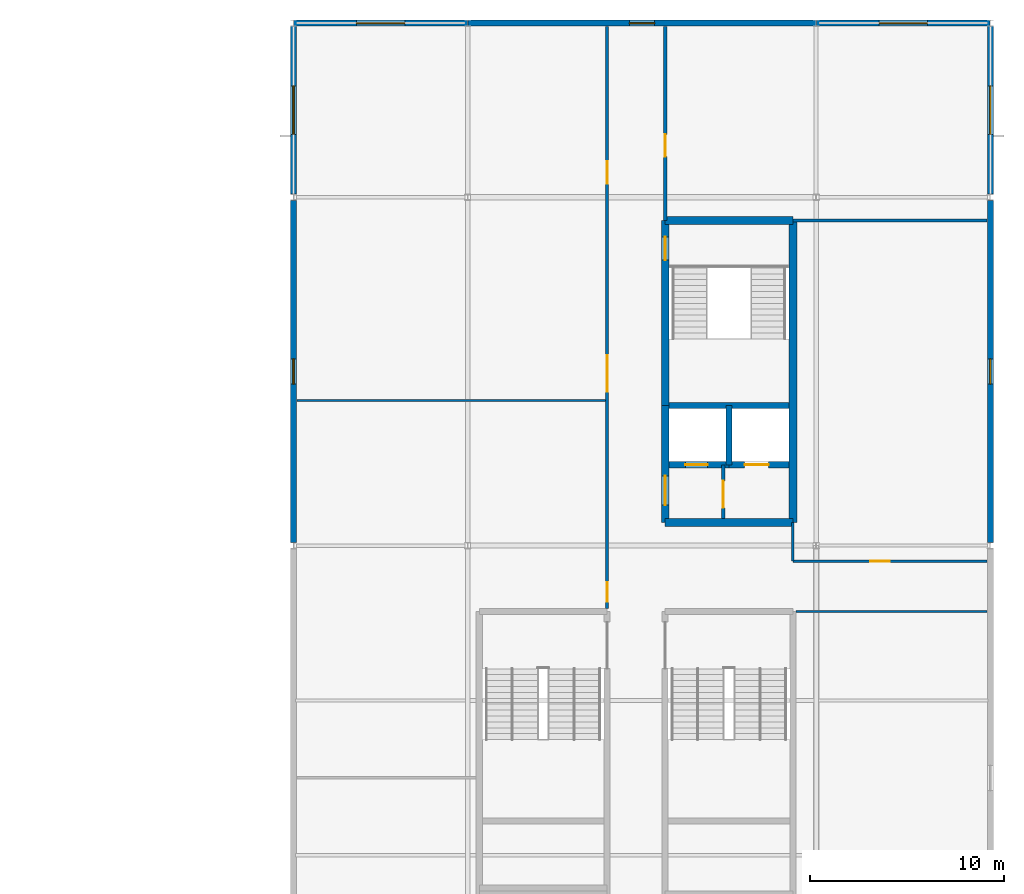
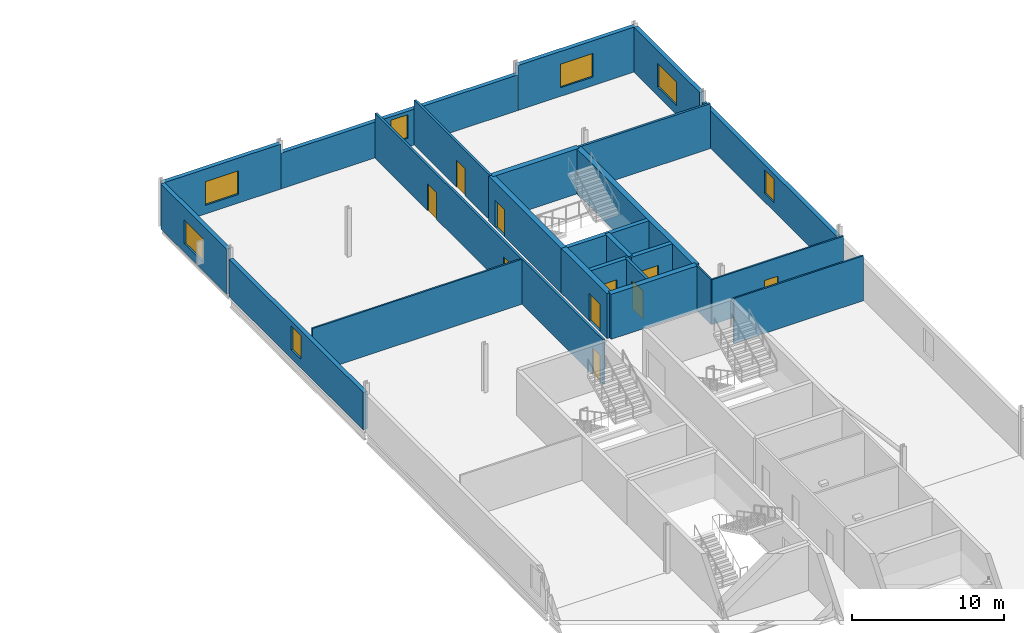
# One storey, part 20 of 31: 24 walls, 10 doors, 7 windows, 17 openings.
"""IFC4 building model written with IfcOpenShell, lengths in metres."""

from ifc_helpers import new_model, si_unit, direction, frame, frame_2d, origin, place, context, subcontext, project, spatial, rectangle, extrude, material, layer, layer_set, type_object, element, fill, save


model = new_model("IFC4")

# Units and contexts
model_context = context("Model", 3, precision=1e-05, world=origin(), true_north=direction((0.0, 1.0)))
body_context = subcontext(model_context, "Body", "Model", "MODEL_VIEW")
ifc_project = project(units=[si_unit("LENGTHUNIT", "METRE"), si_unit("AREAUNIT", "SQUARE_METRE"), si_unit("VOLUMEUNIT", "CUBIC_METRE"), si_unit("PLANEANGLEUNIT", "RADIAN"), si_unit("MASSUNIT", "GRAM", prefix="KILO")], contexts=[model_context])

# Site, building, storey
site_placement = place(None, origin())
site = spatial("IfcSite", under=ifc_project, at=site_placement, CompositionType="ELEMENT")
building_placement = place(site_placement, origin())
building = spatial("IfcBuilding", under=site, at=building_placement, Name="Kisiwana Market Hall", CompositionType="ELEMENT")
storey_placement = place(building_placement, frame((0.0, 0.0, 45.60009765625)))
storey = spatial("IfcBuildingStorey", under=building, at=storey_placement, Name="L10", CompositionType="ELEMENT", Elevation=45.60009765625)

# Wall, opening, door
ifc_material_1 = material(Name="Masonry blockwork", Category="masonry")
ifc_layer_1 = layer(ifc_material_1, 0.199951171875, Name="Plastered fire compartment block wall")
ifc_layer_set_1 = layer_set([ifc_layer_1], Name="WL-COMP-200")
wall_type_1 = type_object("IfcWallType", Name="WL-COMP-200", PredefinedType="PARTITIONING", material=ifc_layer_set_1)
wall_1_placement = place(storey_placement, frame((184.199951171875, 85.39990234375, 0.0), z_axis=(0.0, 0.0, 1.0), x_axis=(0.0, 1.0, 0.0)))
wall_1 = element("IfcWall", 1, at=wall_1_placement, inside=storey, type_object=wall_type_1, Name="Core E1 firefighting lobby wall W-2710", PredefinedType="PARTITIONING", context=body_context, shape_type="SweptSolid", body=[
    extrude(rectangle(XDim=2.780029296875, YDim=0.199951171875, at=frame_2d((1.39013671875, 0.0))), origin(), (0.0, 0.0, 1.0), 3.619873046875),
])
opening_1_placement = place(wall_1_placement, frame((0.550048828125, 0.0, 0.0)))
opening_1 = element("IfcOpeningElement", 2, at=opening_1_placement, cuts=wall_1, Name="Opening DR-L10-012", PredefinedType="OPENING", context=body_context, shape_type="SweptSolid", body=[
    extrude(rectangle(XDim=1.39990234375, YDim=2.25, at=frame_2d((0.699951171875, 1.125))), frame((0.0, 0.11181640625, 0.0), z_axis=(0.0, -1.0, 0.0), x_axis=(1.0, 0.0, 0.0)), (0.0, 0.0, 1.0), 0.223876953125),
])
ifc_material_2 = material(Name="Steel S275", Category="steel")
door_type_1 = type_object("IfcDoorType", Name="DR-FFLOB-FD120-1400", OperationType="DOUBLE_DOOR_SINGLE_SWING", PredefinedType="DOOR", material=ifc_material_2)
door_1_placement = place(opening_1_placement, origin())
door_1 = element("IfcDoor", 3, at=door_1_placement, inside=storey, type_object=door_type_1, Name="Firefighting Lift Lobby E1 Door (L10)", OperationType="DOUBLE_DOOR_SINGLE_SWING", OverallHeight=2.25, OverallWidth=1.39990234375, PredefinedType="DOOR", context=body_context, shape_type="SweptSolid", body=[
    extrude(rectangle(XDim=1.39990234375, YDim=2.25, at=frame_2d((0.699951171875, 1.125))), frame((0.0, 0.02490234375, 0.0), z_axis=(0.0, -1.0, 0.0), x_axis=(1.0, 0.0, 0.0)), (0.0, 0.0, 1.0), 0.050048828125),
])
fill(opening_1, door_1)

# Walls
ifc_material_3 = material(Name="Concrete C40/50", Category="concrete")
ifc_layer_2 = layer(ifc_material_3, 0.320068359375, Name="Reinforced concrete shaft wall")
ifc_layer_set_2 = layer_set([ifc_layer_2], Name="WL-CORE-320")
wall_type_2 = type_object("IfcWallType", Name="WL-CORE-320", PredefinedType="SHEAR", material=ifc_layer_set_2)
wall_2_placement = place(storey_placement, frame((181.39990234375, 91.239990234375, 0.0), z_axis=(0.0, 0.0, 1.0), x_axis=(1.0, 0.0, 0.0)))
element("IfcWall", 4, at=wall_2_placement, inside=storey, type_object=wall_type_2, Name="Core E1 shaft back shear wall W-2619", PredefinedType="SHEAR", context=body_context, shape_type="SweptSolid", body=[
    extrude(rectangle(XDim=6.2001953125, YDim=0.320068359375, at=frame_2d((3.10009765625, 0.0))), origin(), (0.0, 0.0, 1.0), 3.619873046875),
])
wall_3_placement = place(storey_placement, frame((184.5, 88.179931640625, 0.0), z_axis=(0.0, 0.0, 1.0), x_axis=(0.0, 1.0, 0.0)))
element("IfcWall", 5, at=wall_3_placement, inside=storey, type_object=wall_type_2, Name="Core E1 inter-shaft shear wall W-2620", PredefinedType="SHEAR", context=body_context, shape_type="SweptSolid", body=[
    extrude(rectangle(XDim=3.06005859375, YDim=0.320068359375, at=frame_2d((1.530029296875, 0.0))), origin(), (0.0, 0.0, 1.0), 3.619873046875),
])

# Wall, opening, door
wall_4_placement = place(storey_placement, frame((181.39990234375, 88.179931640625, 0.0), z_axis=(0.0, 0.0, 1.0), x_axis=(1.0, 0.0, 0.0)))
wall_4 = element("IfcWall", 6, at=wall_4_placement, inside=storey, type_object=wall_type_2, Name="Core E1 west lift front wall W-2621", PredefinedType="SHEAR", context=body_context, shape_type="SweptSolid", body=[
    extrude(rectangle(XDim=3.10009765625, YDim=0.320068359375, at=frame_2d((1.550048828125, 0.0))), origin(), (0.0, 0.0, 1.0), 3.619873046875),
])
opening_2_placement = place(wall_4_placement, frame((0.85009765625, 0.0, 0.0)))
opening_2 = element("IfcOpeningElement", 7, at=opening_2_placement, cuts=wall_4, Name="Opening LD-L10-007", PredefinedType="OPENING", context=body_context, shape_type="SweptSolid", body=[
    extrude(rectangle(XDim=1.14990234375, YDim=2.199951171875, at=frame_2d((0.574951171875, 1.10009765625))), frame((0.0, 0.171875, 0.0), z_axis=(0.0, -1.0, 0.0), x_axis=(1.0, 0.0, 0.0)), (0.0, 0.0, 1.0), 0.343994140625),
])
ifc_material_4 = material(Name="Steel S275", Category="steel")
door_type_2 = type_object("IfcDoorType", Name="DR-LIFT-PAX-1150", OperationType="DOUBLE_DOOR_SLIDING", PredefinedType="DOOR", material=ifc_material_4)
door_2_placement = place(opening_2_placement, origin())
door_2 = element("IfcDoor", 8, at=door_2_placement, inside=storey, type_object=door_type_2, Name="Lift Landing Door LP-04 (L10)", OperationType="DOUBLE_DOOR_SLIDING", OverallHeight=2.199951171875, OverallWidth=1.14990234375, PredefinedType="DOOR", context=body_context, shape_type="SweptSolid", body=[
    extrude(rectangle(XDim=1.14990234375, YDim=2.199951171875, at=frame_2d((0.574951171875, 1.10009765625))), frame((0.0, 0.02490234375, 0.0), z_axis=(0.0, -1.0, 0.0), x_axis=(1.0, 0.0, 0.0)), (0.0, 0.0, 1.0), 0.050048828125),
])
fill(opening_2, door_2)

wall_5_placement = place(storey_placement, frame((184.5, 88.179931640625, 0.0), z_axis=(0.0, 0.0, 1.0), x_axis=(1.0, 0.0, 0.0)))
wall_5 = element("IfcWall", 9, at=wall_5_placement, inside=storey, type_object=wall_type_2, Name="Core E1 east lift front wall W-2622", PredefinedType="SHEAR", context=body_context, shape_type="SweptSolid", body=[
    extrude(rectangle(XDim=3.10009765625, YDim=0.320068359375, at=frame_2d((1.550048828125, 0.0))), origin(), (0.0, 0.0, 1.0), 3.619873046875),
])
opening_3_placement = place(wall_5_placement, frame((0.800048828125, 0.0, 0.0)))
opening_3 = element("IfcOpeningElement", 10, at=opening_3_placement, cuts=wall_5, Name="Opening LD-L10-008", PredefinedType="OPENING", context=body_context, shape_type="SweptSolid", body=[
    extrude(rectangle(XDim=1.25, YDim=2.25, at=frame_2d((0.625, 1.125))), frame((0.0, 0.171875, 0.0), z_axis=(0.0, -1.0, 0.0), x_axis=(1.0, 0.0, 0.0)), (0.0, 0.0, 1.0), 0.343994140625),
])
ifc_material_5 = material(Name="Steel S275", Category="steel")
door_type_3 = type_object("IfcDoorType", Name="DR-LIFT-FFL-1250", OperationType="DOUBLE_DOOR_SLIDING", PredefinedType="DOOR", material=ifc_material_5)
door_3_placement = place(opening_3_placement, origin())
door_3 = element("IfcDoor", 11, at=door_3_placement, inside=storey, type_object=door_type_3, Name="Lift Landing Door FFL-04 (L10)", OperationType="DOUBLE_DOOR_SLIDING", OverallHeight=2.25, OverallWidth=1.25, PredefinedType="DOOR", context=body_context, shape_type="SweptSolid", body=[
    extrude(rectangle(XDim=1.25, YDim=2.25, at=frame_2d((0.625, 1.125))), frame((0.0, 0.02490234375, 0.0), z_axis=(0.0, -1.0, 0.0), x_axis=(1.0, 0.0, 0.0)), (0.0, 0.0, 1.0), 0.050048828125),
])
fill(opening_3, door_3)

# Walls
ifc_material_6 = material(Name="Concrete C40/50", Category="concrete")
ifc_layer_3 = layer(ifc_material_6, 0.39990234375, Name="Reinforced concrete core wall")
ifc_layer_set_3 = layer_set([ifc_layer_3], Name="WL-CORE-400")
wall_type_3 = type_object("IfcWallType", Name="WL-CORE-400", PredefinedType="SHEAR", material=ifc_layer_set_3)
for number, where, z_axis, x_axis, name in (
    (12, (181.199951171875, 85.199951171875, 0.0), (0.0, 0.0, 1.0), (1.0, 0.0, 0.0), "Core E1 south shear wall W-2614"),
    (13, (181.199951171875, 100.800048828125, 0.0), (0.0, 0.0, 1.0), (1.0, 0.0, 0.0), "Core E1 north shear wall W-2615"),
):
    element("IfcWall", number, at=place(storey_placement, frame(where, z_axis=z_axis, x_axis=x_axis)), inside=storey, type_object=wall_type_3, Name=name, PredefinedType="SHEAR", context=body_context, shape_type="SweptSolid", body=[
        extrude(rectangle(XDim=6.60009765625, YDim=0.39990234375, at=frame_2d((3.300048828125, 0.0))), origin(), (0.0, 0.0, 1.0), 3.619873046875),
    ])
wall_6_placement = place(storey_placement, frame((187.800048828125, 85.199951171875, 0.0), z_axis=(0.0, 0.0, 1.0), x_axis=(0.0, 1.0, 0.0)))
element("IfcWall", 14, at=wall_6_placement, inside=storey, type_object=wall_type_3, Name="Core E1 outer shear wall W-2616", PredefinedType="SHEAR", context=body_context, shape_type="SweptSolid", body=[
    extrude(rectangle(XDim=15.60009765625, YDim=0.39990234375, at=frame_2d((7.800048828125, 0.0))), origin(), (0.0, 0.0, 1.0), 3.619873046875),
])

# Wall, opening, door
wall_7_placement = place(storey_placement, frame((181.199951171875, 85.199951171875, 0.0), z_axis=(0.0, 0.0, 1.0), x_axis=(0.0, 1.0, 0.0)))
wall_7 = element("IfcWall", 15, at=wall_7_placement, inside=storey, type_object=wall_type_3, Name="Core E1 lobby corridor shear wall W-2617", PredefinedType="SHEAR", context=body_context, shape_type="SweptSolid", body=[
    extrude(rectangle(XDim=6.0400390625, YDim=0.39990234375, at=frame_2d((3.02001953125, 0.0))), origin(), (0.0, 0.0, 1.0), 3.619873046875),
])
opening_4_placement = place(wall_7_placement, frame((0.89990234375, 0.0, 0.0)))
opening_4 = element("IfcOpeningElement", 16, at=opening_4_placement, cuts=wall_7, Name="Opening DR-L10-010", PredefinedType="OPENING", context=body_context, shape_type="SweptSolid", body=[
    extrude(rectangle(XDim=1.5, YDim=2.199951171875, at=frame_2d((0.75, 1.10009765625))), frame((0.0, 0.2119140625, 0.0), z_axis=(0.0, -1.0, 0.0), x_axis=(1.0, 0.0, 0.0)), (0.0, 0.0, 1.0), 0.423828125),
])
ifc_material_7 = material(Name="Steel S275", Category="steel")
door_type_4 = type_object("IfcDoorType", Name="DR-CORR-FD60-1500", OperationType="DOUBLE_DOOR_SINGLE_SWING", PredefinedType="DOOR", material=ifc_material_7)
door_4_placement = place(opening_4_placement, origin())
door_4 = element("IfcDoor", 17, at=door_4_placement, inside=storey, type_object=door_type_4, Name="Passenger Lift Lobby E1 Smoke Door (L10)", OperationType="DOUBLE_DOOR_SINGLE_SWING", OverallHeight=2.199951171875, OverallWidth=1.5, PredefinedType="DOOR", context=body_context, shape_type="SweptSolid", body=[
    extrude(rectangle(XDim=1.5, YDim=2.199951171875, at=frame_2d((0.75, 1.10009765625))), frame((0.0, 0.02490234375, 0.0), z_axis=(0.0, -1.0, 0.0), x_axis=(1.0, 0.0, 0.0)), (0.0, 0.0, 1.0), 0.050048828125),
])
fill(opening_4, door_4)

wall_8_placement = place(storey_placement, frame((181.199951171875, 91.239990234375, 0.0), z_axis=(0.0, 0.0, 1.0), x_axis=(0.0, 1.0, 0.0)))
wall_8 = element("IfcWall", 18, at=wall_8_placement, inside=storey, type_object=wall_type_3, Name="Core E1 stair corridor shear wall W-2618", PredefinedType="SHEAR", context=body_context, shape_type="SweptSolid", body=[
    extrude(rectangle(XDim=9.56005859375, YDim=0.39990234375, at=frame_2d((4.780029296875, 0.0))), origin(), (0.0, 0.0, 1.0), 3.619873046875),
])
opening_5_placement = place(wall_8_placement, frame((7.510009765625, 0.0, 0.0)))
opening_5 = element("IfcOpeningElement", 19, at=opening_5_placement, cuts=wall_8, Name="Opening DR-L10-011", PredefinedType="OPENING", context=body_context, shape_type="SweptSolid", body=[
    extrude(rectangle(XDim=1.199951171875, YDim=2.199951171875, at=frame_2d((0.60009765625, 1.10009765625))), frame((0.0, 0.2119140625, 0.0), z_axis=(0.0, -1.0, 0.0), x_axis=(1.0, 0.0, 0.0)), (0.0, 0.0, 1.0), 0.423828125),
])
ifc_material_8 = material(Name="Steel S275", Category="steel")
door_type_5 = type_object("IfcDoorType", Name="DR-STAIR-FD120-1200", OperationType="NOTDEFINED", PredefinedType="DOOR", material=ifc_material_8)
door_5_placement = place(opening_5_placement, frame((1.199951171875, 0.0, 0.0), z_axis=(0.0, 0.0, 1.0), x_axis=(-1.0, 0.0, 0.0)))
door_5 = element("IfcDoor", 20, at=door_5_placement, inside=storey, type_object=door_type_5, Name="Escape Stair E1 Fire Door (L10)", OperationType="SINGLE_SWING_LEFT", OverallHeight=2.199951171875, OverallWidth=1.199951171875, PredefinedType="DOOR", context=body_context, shape_type="SweptSolid", body=[
    extrude(rectangle(XDim=1.199951171875, YDim=2.199951171875, at=frame_2d((0.60009765625, 1.10009765625))), frame((0.0, 0.02490234375, 0.0), z_axis=(0.0, -1.0, 0.0), x_axis=(1.0, 0.0, 0.0)), (0.0, 0.0, 1.0), 0.050048828125),
])
fill(opening_5, door_5)

# Wall
ifc_material_9 = material(Name="Masonry blockwork", Category="masonry")
ifc_layer_4 = layer(ifc_material_9, 0.169921875, Name="Protected corridor partition")
ifc_layer_set_4 = layer_set([ifc_layer_4], Name="WL-CORR-170")
wall_type_4 = type_object("IfcWallType", Name="WL-CORR-170", PredefinedType="PARTITIONING", material=ifc_layer_set_4)
wall_9_placement = place(storey_placement, frame((187.800048828125, 100.800048828125, 0.0), z_axis=(0.0, 0.0, 1.0), x_axis=(1.0, 0.0, 0.0)))
element("IfcWall", 21, at=wall_9_placement, inside=storey, type_object=wall_type_4, Name="Interior partition W-2738", PredefinedType="PARTITIONING", context=body_context, shape_type="SweptSolid", body=[
    extrude(rectangle(XDim=10.017333984375, YDim=0.169921875, at=frame_2d((5.0087890625, 0.0))), origin(), (0.0, 0.0, 1.0), 3.619873046875),
])

# Wall, opening, door
wall_10_placement = place(storey_placement, frame((181.199951171875, 100.800048828125, 0.0), z_axis=(0.0, 0.0, 1.0), x_axis=(0.0, 1.0, 0.0)))
wall_10 = element("IfcWall", 22, at=wall_10_placement, inside=storey, type_object=wall_type_4, Name="Interior partition W-2744", PredefinedType="PARTITIONING", context=body_context, shape_type="SweptSolid", body=[
    extrude(rectangle(XDim=10.017333984375, YDim=0.169921875, at=frame_2d((5.0087890625, 0.0))), origin(), (0.0, 0.0, 1.0), 3.619873046875),
])
opening_6_placement = place(wall_10_placement, frame((3.300048828125, 0.0, 0.0)))
opening_6 = element("IfcOpeningElement", 23, at=opening_6_placement, cuts=wall_10, Name="Opening DR-L10-046", PredefinedType="OPENING", context=body_context, shape_type="SweptSolid", body=[
    extrude(rectangle(XDim=1.14990234375, YDim=2.14990234375, at=frame_2d((0.574951171875, 1.074951171875))), frame((0.0, 0.096923828125, 0.0), z_axis=(0.0, -1.0, 0.0), x_axis=(1.0, 0.0, 0.0)), (0.0, 0.0, 1.0), 0.19384765625),
])
ifc_material_10 = material(Name="Aluminium alloy 6063-T6", Category="aluminium")
door_type_6 = type_object("IfcDoorType", Name="DR-MEET-1150", OperationType="NOTDEFINED", PredefinedType="DOOR", material=ifc_material_10)
door_6_placement = place(opening_6_placement, frame((1.14990234375, 0.0, 0.0), z_axis=(0.0, 0.0, 1.0), x_axis=(-1.0, 0.0, 0.0)))
door_6 = element("IfcDoor", 24, at=door_6_placement, inside=storey, type_object=door_type_6, Name="L10 E Corner Office Suite North Door", OperationType="SINGLE_SWING_RIGHT", OverallHeight=2.14990234375, OverallWidth=1.14990234375, PredefinedType="DOOR", context=body_context, shape_type="SweptSolid", body=[
    extrude(rectangle(XDim=1.14990234375, YDim=2.14990234375, at=frame_2d((0.574951171875, 1.074951171875))), frame((0.0, 0.02490234375, 0.0), z_axis=(0.0, -1.0, 0.0), x_axis=(1.0, 0.0, 0.0)), (0.0, 0.0, 1.0), 0.050048828125),
])
fill(opening_6, door_6)

# Wall, openings, doors
wall_11_placement = place(storey_placement, frame((178.199951171875, 80.760009765625, 0.0), z_axis=(0.0, 0.0, 1.0), x_axis=(0.0, 1.0, 0.0)))
wall_11 = element("IfcWall", 25, at=wall_11_placement, inside=storey, type_object=wall_type_4, Name="Interior partition W-2750", PredefinedType="PARTITIONING", context=body_context, shape_type="SweptSolid", body=[
    extrude(rectangle(XDim=30.057373046875, YDim=0.169921875, at=frame_2d((15.02880859375, 0.0))), origin(), (0.0, 0.0, 1.0), 3.619873046875),
])
opening_7_placement = place(wall_11_placement, frame((0.35009765625, 0.0, 0.0)))
opening_7 = element("IfcOpeningElement", 26, at=opening_7_placement, cuts=wall_11, Name="Opening DR-L10-052", PredefinedType="OPENING", context=body_context, shape_type="SweptSolid", body=[
    extrude(rectangle(XDim=1.0, YDim=2.14990234375, at=frame_2d((0.5, 1.074951171875))), frame((0.0, 0.096923828125, 0.0), z_axis=(0.0, -1.0, 0.0), x_axis=(1.0, 0.0, 0.0)), (0.0, 0.0, 1.0), 0.19384765625),
])
opening_8_placement = place(wall_11_placement, frame((21.949951171875, 0.0, 0.0)))
opening_8 = element("IfcOpeningElement", 27, at=opening_8_placement, cuts=wall_11, Name="Opening DR-L10-053", PredefinedType="OPENING", context=body_context, shape_type="SweptSolid", body=[
    extrude(rectangle(XDim=1.14990234375, YDim=2.14990234375, at=frame_2d((0.574951171875, 1.074951171875))), frame((0.0, 0.096923828125, 0.0), z_axis=(0.0, -1.0, 0.0), x_axis=(1.0, 0.0, 0.0)), (0.0, 0.0, 1.0), 0.19384765625),
])
opening_9_placement = place(wall_11_placement, frame((11.18994140625, 0.0, 0.0)))
opening_9 = element("IfcOpeningElement", 28, at=opening_9_placement, cuts=wall_11, Name="Opening DR-L10-054", PredefinedType="OPENING", context=body_context, shape_type="SweptSolid", body=[
    extrude(rectangle(XDim=1.89990234375, YDim=2.35009765625, at=frame_2d((0.949951171875, 1.175048828125))), frame((0.0, 0.096923828125, 0.0), z_axis=(0.0, -1.0, 0.0), x_axis=(1.0, 0.0, 0.0)), (0.0, 0.0, 1.0), 0.19384765625),
])
ifc_material_11 = material(Name="Steel S275", Category="steel")
door_type_7 = type_object("IfcDoorType", Name="DR-HALL-1900", OperationType="DOUBLE_DOOR_SINGLE_SWING", PredefinedType="DOOR", material=ifc_material_11)
door_7_placement = place(opening_9_placement, origin())
door_7 = element("IfcDoor", 29, at=door_7_placement, inside=storey, type_object=door_type_7, Name="L10 E Client Briefing Room M5 Exit Door", OperationType="DOUBLE_DOOR_SINGLE_SWING", OverallHeight=2.35009765625, OverallWidth=1.89990234375, PredefinedType="DOOR", context=body_context, shape_type="SweptSolid", body=[
    extrude(rectangle(XDim=1.89990234375, YDim=2.35009765625, at=frame_2d((0.949951171875, 1.175048828125))), frame((0.0, 0.02490234375, 0.0), z_axis=(0.0, -1.0, 0.0), x_axis=(1.0, 0.0, 0.0)), (0.0, 0.0, 1.0), 0.050048828125),
])
fill(opening_9, door_7)
door_8_placement = place(opening_8_placement, origin())
door_8 = element("IfcDoor", 30, at=door_8_placement, inside=storey, type_object=door_type_6, Name="L10 E Client Briefing Room M5 Door", OperationType="SINGLE_SWING_RIGHT", OverallHeight=2.14990234375, OverallWidth=1.14990234375, PredefinedType="DOOR", context=body_context, shape_type="SweptSolid", body=[
    extrude(rectangle(XDim=1.14990234375, YDim=2.14990234375, at=frame_2d((0.574951171875, 1.074951171875))), frame((0.0, 0.02490234375, 0.0), z_axis=(0.0, -1.0, 0.0), x_axis=(1.0, 0.0, 0.0)), (0.0, 0.0, 1.0), 0.050048828125),
])
fill(opening_8, door_8)
ifc_material_12 = material(Name="Aluminium alloy 6063-T6", Category="aluminium")
door_type_8 = type_object("IfcDoorType", Name="DR-OFF-1000", OperationType="NOTDEFINED", PredefinedType="DOOR", material=ifc_material_12)
door_9_placement = place(opening_7_placement, origin())
door_9 = element("IfcDoor", 31, at=door_9_placement, inside=storey, type_object=door_type_8, Name="L10 E Mid-Rise Office Suite M4 Door", OperationType="SINGLE_SWING_LEFT", OverallHeight=2.14990234375, OverallWidth=1.0, PredefinedType="DOOR", context=body_context, shape_type="SweptSolid", body=[
    extrude(rectangle(XDim=1.0, YDim=2.14990234375, at=frame_2d((0.5, 1.074951171875))), frame((0.0, 0.02490234375, 0.0), z_axis=(0.0, -1.0, 0.0), x_axis=(1.0, 0.0, 0.0)), (0.0, 0.0, 1.0), 0.050048828125),
])
fill(opening_7, door_9)

# Wall, opening, window
ifc_material_13 = material(Name="Concrete C40/50 precast", Category="concrete")
ifc_layer_5 = layer(ifc_material_13, 0.31494140625)
ifc_layer_set_5 = layer_set([ifc_layer_5], Name="WL-EXT-315")
wall_type_5 = type_object("IfcWallType", Name="WL-EXT-315", PredefinedType="STANDARD", material=ifc_layer_set_5)
wall_12_placement = place(storey_placement, frame((162.010009765625, 111.0, 0.0), z_axis=(0.0, 0.0, 1.0), x_axis=(1.0, 0.0, 0.0)))
wall_12 = element("IfcWall", 32, at=wall_12_placement, inside=storey, type_object=wall_type_5, Name="Exterior wall W-2680", PredefinedType="STANDARD", context=body_context, shape_type="SweptSolid", body=[
    extrude(rectangle(XDim=8.97998046875, YDim=0.31494140625, at=frame_2d((4.489990234375, 0.0))), origin(), (0.0, 0.0, 1.0), 3.619873046875),
])
opening_10_placement = place(wall_12_placement, frame((3.239990234375, 0.0, 0.699951171875)))
opening_10 = element("IfcOpeningElement", 33, at=opening_10_placement, cuts=wall_12, Name="Opening WN-17", PredefinedType="OPENING", context=body_context, shape_type="SweptSolid", body=[
    extrude(rectangle(XDim=2.5, YDim=1.89990234375, at=frame_2d((1.25, 0.949951171875))), frame((0.0, 0.16943359375, 0.0), z_axis=(0.0, -1.0, 0.0), x_axis=(1.0, 0.0, 0.0)), (0.0, 0.0, 1.0), 0.3388671875),
])
ifc_material_14 = material(Name="Double-glazed solar-control low-E IGU", Category="glass")
window_type_1 = type_object("IfcWindowType", Name="WN-OFFB-2500x1900", PartitioningType="SINGLE_PANEL", PredefinedType="WINDOW", material=ifc_material_14)
window_1_placement = place(opening_10_placement, origin())
window_1 = element("IfcWindow", 34, at=window_1_placement, inside=storey, type_object=window_type_1, Name="Exterior window WN-320", OverallHeight=1.89990234375, OverallWidth=2.5, PartitioningType="SINGLE_PANEL", PredefinedType="WINDOW", context=body_context, shape_type="SweptSolid", body=[
    extrude(rectangle(XDim=2.5, YDim=1.89990234375, at=frame_2d((1.25, 0.949951171875))), frame((0.0, 0.030029296875, 0.0), z_axis=(0.0, -1.0, 0.0), x_axis=(1.0, 0.0, 0.0)), (0.0, 0.0, 1.0), 0.06005859375),
])
fill(opening_10, window_1)

wall_13_placement = place(storey_placement, frame((171.010009765625, 111.0, 0.0), z_axis=(0.0, 0.0, 1.0), x_axis=(1.0, 0.0, 0.0)))
wall_13 = element("IfcWall", 35, at=wall_13_placement, inside=storey, type_object=wall_type_5, Name="Exterior wall W-2681", PredefinedType="STANDARD", context=body_context, shape_type="SweptSolid", body=[
    extrude(rectangle(XDim=17.97998046875, YDim=0.31494140625, at=frame_2d((8.989990234375, 0.0))), origin(), (0.0, 0.0, 1.0), 2.879638671875),
])
opening_11_placement = place(wall_13_placement, frame((8.340087890625, 0.0, 0.699951171875)))
opening_11 = element("IfcOpeningElement", 36, at=opening_11_placement, cuts=wall_13, Name="Opening WN-08", PredefinedType="OPENING", context=body_context, shape_type="SweptSolid", body=[
    extrude(rectangle(XDim=1.300048828125, YDim=1.89990234375, at=frame_2d((0.64990234375, 0.949951171875))), frame((0.0, 0.16943359375, 0.0), z_axis=(0.0, -1.0, 0.0), x_axis=(1.0, 0.0, 0.0)), (0.0, 0.0, 1.0), 0.3388671875),
])
ifc_material_15 = material(Name="Double-glazed solar-control low-E IGU", Category="glass")
window_type_2 = type_object("IfcWindowType", Name="WN-OFFB-1300x1900", PartitioningType="SINGLE_PANEL", PredefinedType="WINDOW", material=ifc_material_15)
window_2_placement = place(opening_11_placement, origin())
window_2 = element("IfcWindow", 37, at=window_2_placement, inside=storey, type_object=window_type_2, Name="Exterior window WN-297", OverallHeight=1.89990234375, OverallWidth=1.300048828125, PartitioningType="SINGLE_PANEL", PredefinedType="WINDOW", context=body_context, shape_type="SweptSolid", body=[
    extrude(rectangle(XDim=1.300048828125, YDim=1.89990234375, at=frame_2d((0.64990234375, 0.949951171875))), frame((0.0, 0.030029296875, 0.0), z_axis=(0.0, -1.0, 0.0), x_axis=(1.0, 0.0, 0.0)), (0.0, 0.0, 1.0), 0.06005859375),
])
fill(opening_11, window_2)

wall_14_placement = place(storey_placement, frame((189.010009765625, 111.0, 0.0), z_axis=(0.0, 0.0, 1.0), x_axis=(1.0, 0.0, 0.0)))
wall_14 = element("IfcWall", 38, at=wall_14_placement, inside=storey, type_object=wall_type_5, Name="Exterior wall W-2682", PredefinedType="STANDARD", context=body_context, shape_type="SweptSolid", body=[
    extrude(rectangle(XDim=8.97998046875, YDim=0.31494140625, at=frame_2d((4.489990234375, 0.0))), origin(), (0.0, 0.0, 1.0), 3.619873046875),
])
opening_12_placement = place(wall_14_placement, frame((3.239990234375, 0.0, 0.699951171875)))
opening_12 = element("IfcOpeningElement", 39, at=opening_12_placement, cuts=wall_14, Name="Opening WN-17", PredefinedType="OPENING", context=body_context, shape_type="SweptSolid", body=[
    extrude(rectangle(XDim=2.5, YDim=1.89990234375, at=frame_2d((1.25, 0.949951171875))), frame((0.0, 0.16943359375, 0.0), z_axis=(0.0, -1.0, 0.0), x_axis=(1.0, 0.0, 0.0)), (0.0, 0.0, 1.0), 0.3388671875),
])
window_3_placement = place(opening_12_placement, origin())
window_3 = element("IfcWindow", 40, at=window_3_placement, inside=storey, type_object=window_type_1, Name="Exterior window WN-321", OverallHeight=1.89990234375, OverallWidth=2.5, PartitioningType="SINGLE_PANEL", PredefinedType="WINDOW", context=body_context, shape_type="SweptSolid", body=[
    extrude(rectangle(XDim=2.5, YDim=1.89990234375, at=frame_2d((1.25, 0.949951171875))), frame((0.0, 0.030029296875, 0.0), z_axis=(0.0, -1.0, 0.0), x_axis=(1.0, 0.0, 0.0)), (0.0, 0.0, 1.0), 0.06005859375),
])
fill(opening_12, window_3)

wall_15_placement = place(storey_placement, frame((162.0, 84.159912109375, 0.0), z_axis=(0.0, 0.0, 1.0), x_axis=(0.0, 1.0, 0.0)))
wall_15 = element("IfcWall", 41, at=wall_15_placement, inside=storey, type_object=wall_type_5, Name="Exterior wall W-2699", PredefinedType="STANDARD", context=body_context, shape_type="SweptSolid", body=[
    extrude(rectangle(XDim=17.68017578125, YDim=0.31494140625, at=frame_2d((8.840087890625, 0.0))), origin(), (0.0, 0.0, 1.0), 3.0078125),
])
opening_13_placement = place(wall_15_placement, frame((8.190185546875, 0.0, 0.699951171875)))
opening_13 = element("IfcOpeningElement", 42, at=opening_13_placement, cuts=wall_15, Name="Opening WN-08", PredefinedType="OPENING", context=body_context, shape_type="SweptSolid", body=[
    extrude(rectangle(XDim=1.300048828125, YDim=1.89990234375, at=frame_2d((0.64990234375, 0.949951171875))), frame((0.0, 0.16943359375, 0.0), z_axis=(0.0, -1.0, 0.0), x_axis=(1.0, 0.0, 0.0)), (0.0, 0.0, 1.0), 0.3388671875),
])
window_4_placement = place(opening_13_placement, origin())
window_4 = element("IfcWindow", 43, at=window_4_placement, inside=storey, type_object=window_type_2, Name="Exterior window WN-309", OverallHeight=1.89990234375, OverallWidth=1.300048828125, PartitioningType="SINGLE_PANEL", PredefinedType="WINDOW", context=body_context, shape_type="SweptSolid", body=[
    extrude(rectangle(XDim=1.300048828125, YDim=1.89990234375, at=frame_2d((0.64990234375, 0.949951171875))), frame((0.0, 0.030029296875, 0.0), z_axis=(0.0, -1.0, 0.0), x_axis=(1.0, 0.0, 0.0)), (0.0, 0.0, 1.0), 0.06005859375),
])
fill(opening_13, window_4)

wall_16_placement = place(storey_placement, frame((162.0, 102.159912109375, 0.0), z_axis=(0.0, 0.0, 1.0), x_axis=(0.0, 1.0, 0.0)))
wall_16 = element("IfcWall", 44, at=wall_16_placement, inside=storey, type_object=wall_type_5, Name="Exterior wall W-2700", PredefinedType="STANDARD", context=body_context, shape_type="SweptSolid", body=[
    extrude(rectangle(XDim=8.68017578125, YDim=0.31494140625, at=frame_2d((4.340087890625, 0.0))), origin(), (0.0, 0.0, 1.0), 3.619873046875),
])
opening_14_placement = place(wall_16_placement, frame((3.090087890625, 0.0, 0.699951171875)))
opening_14 = element("IfcOpeningElement", 45, at=opening_14_placement, cuts=wall_16, Name="Opening WN-17", PredefinedType="OPENING", context=body_context, shape_type="SweptSolid", body=[
    extrude(rectangle(XDim=2.5, YDim=1.89990234375, at=frame_2d((1.25, 0.949951171875))), frame((0.0, 0.16943359375, 0.0), z_axis=(0.0, -1.0, 0.0), x_axis=(1.0, 0.0, 0.0)), (0.0, 0.0, 1.0), 0.3388671875),
])
window_5_placement = place(opening_14_placement, origin())
window_5 = element("IfcWindow", 46, at=window_5_placement, inside=storey, type_object=window_type_1, Name="Exterior window WN-327", OverallHeight=1.89990234375, OverallWidth=2.5, PartitioningType="SINGLE_PANEL", PredefinedType="WINDOW", context=body_context, shape_type="SweptSolid", body=[
    extrude(rectangle(XDim=2.5, YDim=1.89990234375, at=frame_2d((1.25, 0.949951171875))), frame((0.0, 0.030029296875, 0.0), z_axis=(0.0, -1.0, 0.0), x_axis=(1.0, 0.0, 0.0)), (0.0, 0.0, 1.0), 0.06005859375),
])
fill(opening_14, window_5)

wall_17_placement = place(storey_placement, frame((198.0, 84.159912109375, 0.0), z_axis=(0.0, 0.0, 1.0), x_axis=(0.0, 1.0, 0.0)))
wall_17 = element("IfcWall", 47, at=wall_17_placement, inside=storey, type_object=wall_type_5, Name="Exterior wall W-2705", PredefinedType="STANDARD", context=body_context, shape_type="SweptSolid", body=[
    extrude(rectangle(XDim=17.68017578125, YDim=0.31494140625, at=frame_2d((8.840087890625, 0.0))), origin(), (0.0, 0.0, 1.0), 3.0078125),
])
opening_15_placement = place(wall_17_placement, frame((8.190185546875, 0.0, 0.699951171875)))
opening_15 = element("IfcOpeningElement", 48, at=opening_15_placement, cuts=wall_17, Name="Opening WN-08", PredefinedType="OPENING", context=body_context, shape_type="SweptSolid", body=[
    extrude(rectangle(XDim=1.300048828125, YDim=1.89990234375, at=frame_2d((0.64990234375, 0.949951171875))), frame((0.0, 0.16943359375, 0.0), z_axis=(0.0, -1.0, 0.0), x_axis=(1.0, 0.0, 0.0)), (0.0, 0.0, 1.0), 0.3388671875),
])
window_6_placement = place(opening_15_placement, origin())
window_6 = element("IfcWindow", 49, at=window_6_placement, inside=storey, type_object=window_type_2, Name="Exterior window WN-313", OverallHeight=1.89990234375, OverallWidth=1.300048828125, PartitioningType="SINGLE_PANEL", PredefinedType="WINDOW", context=body_context, shape_type="SweptSolid", body=[
    extrude(rectangle(XDim=1.300048828125, YDim=1.89990234375, at=frame_2d((0.64990234375, 0.949951171875))), frame((0.0, 0.030029296875, 0.0), z_axis=(0.0, -1.0, 0.0), x_axis=(1.0, 0.0, 0.0)), (0.0, 0.0, 1.0), 0.06005859375),
])
fill(opening_15, window_6)

wall_18_placement = place(storey_placement, frame((198.0, 102.159912109375, 0.0), z_axis=(0.0, 0.0, 1.0), x_axis=(0.0, 1.0, 0.0)))
wall_18 = element("IfcWall", 50, at=wall_18_placement, inside=storey, type_object=wall_type_5, Name="Exterior wall W-2706", PredefinedType="STANDARD", context=body_context, shape_type="SweptSolid", body=[
    extrude(rectangle(XDim=8.68017578125, YDim=0.31494140625, at=frame_2d((4.340087890625, 0.0))), origin(), (0.0, 0.0, 1.0), 3.619873046875),
])
opening_16_placement = place(wall_18_placement, frame((3.090087890625, 0.0, 0.699951171875)))
opening_16 = element("IfcOpeningElement", 51, at=opening_16_placement, cuts=wall_18, Name="Opening WN-17", PredefinedType="OPENING", context=body_context, shape_type="SweptSolid", body=[
    extrude(rectangle(XDim=2.5, YDim=1.89990234375, at=frame_2d((1.25, 0.949951171875))), frame((0.0, 0.16943359375, 0.0), z_axis=(0.0, -1.0, 0.0), x_axis=(1.0, 0.0, 0.0)), (0.0, 0.0, 1.0), 0.3388671875),
])
window_7_placement = place(opening_16_placement, origin())
window_7 = element("IfcWindow", 52, at=window_7_placement, inside=storey, type_object=window_type_1, Name="Exterior window WN-329", OverallHeight=1.89990234375, OverallWidth=2.5, PartitioningType="SINGLE_PANEL", PredefinedType="WINDOW", context=body_context, shape_type="SweptSolid", body=[
    extrude(rectangle(XDim=2.5, YDim=1.89990234375, at=frame_2d((1.25, 0.949951171875))), frame((0.0, 0.030029296875, 0.0), z_axis=(0.0, -1.0, 0.0), x_axis=(1.0, 0.0, 0.0)), (0.0, 0.0, 1.0), 0.06005859375),
])
fill(opening_16, window_7)

# Walls
ifc_material_16 = material(Name="Gypsum plasterboard")
ifc_layer_6 = layer(ifc_material_16, 0.125, Name="Double gypsum board + acoustic stud")
ifc_layer_set_6 = layer_set([ifc_layer_6], Name="WL-OFF-125")
wall_type_6 = type_object("IfcWallType", Name="WL-OFF-125", PredefinedType="PARTITIONING", material=ifc_layer_set_6)
wall_19_placement = place(storey_placement, frame((187.800048828125, 83.199951171875, 0.0), z_axis=(0.0, 0.0, 1.0), x_axis=(0.0, 1.0, 0.0)))
element("IfcWall", 53, at=wall_19_placement, inside=storey, type_object=wall_type_6, Name="Interior partition W-2736", PredefinedType="PARTITIONING", context=body_context, shape_type="SweptSolid", body=[
    extrude(rectangle(XDim=2.0, YDim=0.125, at=frame_2d((1.0, 0.0))), origin(), (0.0, 0.0, 1.0), 3.619873046875),
])
wall_20_placement = place(storey_placement, frame((187.9599609375, 80.60009765625, 0.0), z_axis=(0.0, 0.0, 1.0), x_axis=(1.0, 0.0, 0.0)))
element("IfcWall", 54, at=wall_20_placement, inside=storey, type_object=wall_type_6, Name="Interior partition W-2741", PredefinedType="PARTITIONING", context=body_context, shape_type="SweptSolid", body=[
    extrude(rectangle(XDim=9.857421875, YDim=0.125, at=frame_2d((4.9287109375, 0.0))), origin(), (0.0, 0.0, 1.0), 3.619873046875),
])

# Wall, opening, door
wall_21_placement = place(storey_placement, frame((187.800048828125, 83.199951171875, 0.0), z_axis=(0.0, 0.0, 1.0), x_axis=(1.0, 0.0, 0.0)))
wall_21 = element("IfcWall", 55, at=wall_21_placement, inside=storey, type_object=wall_type_6, Name="Interior partition W-2742", PredefinedType="PARTITIONING", context=body_context, shape_type="SweptSolid", body=[
    extrude(rectangle(XDim=10.017333984375, YDim=0.125, at=frame_2d((5.0087890625, 0.0))), origin(), (0.0, 0.0, 1.0), 3.619873046875),
])
opening_17_placement = place(wall_21_placement, frame((4.0, 0.0, 0.0)))
opening_17 = element("IfcOpeningElement", 56, at=opening_17_placement, cuts=wall_21, Name="Opening DR-L10-044", PredefinedType="OPENING", context=body_context, shape_type="SweptSolid", body=[
    extrude(rectangle(XDim=1.0, YDim=2.14990234375, at=frame_2d((0.5, 1.074951171875))), frame((0.0, 0.074462890625, 0.0), z_axis=(0.0, -1.0, 0.0), x_axis=(1.0, 0.0, 0.0)), (0.0, 0.0, 1.0), 0.14892578125),
])
door_10_placement = place(opening_17_placement, origin())
door_10 = element("IfcDoor", 57, at=door_10_placement, inside=storey, type_object=door_type_8, Name="L10 E Commercial Office North Door", OperationType="SINGLE_SWING_LEFT", OverallHeight=2.14990234375, OverallWidth=1.0, PredefinedType="DOOR", context=body_context, shape_type="SweptSolid", body=[
    extrude(rectangle(XDim=1.0, YDim=2.14990234375, at=frame_2d((0.5, 1.074951171875))), frame((0.0, 0.02490234375, 0.0), z_axis=(0.0, -1.0, 0.0), x_axis=(1.0, 0.0, 0.0)), (0.0, 0.0, 1.0), 0.050048828125),
])
fill(opening_17, door_10)

# Wall
wall_22_placement = place(storey_placement, frame((162.1826171875, 91.5, 0.0), z_axis=(0.0, 0.0, 1.0), x_axis=(1.0, 0.0, 0.0)))
element("IfcWall", 58, at=wall_22_placement, inside=storey, type_object=wall_type_6, Name="Interior partition W-2748", PredefinedType="PARTITIONING", context=body_context, shape_type="SweptSolid", body=[
    extrude(rectangle(XDim=15.932373046875, YDim=0.125, at=frame_2d((7.96630859375, 0.0))), origin(), (0.0, 0.0, 1.0), 3.619873046875),
])

save(model, "model.ifc")
